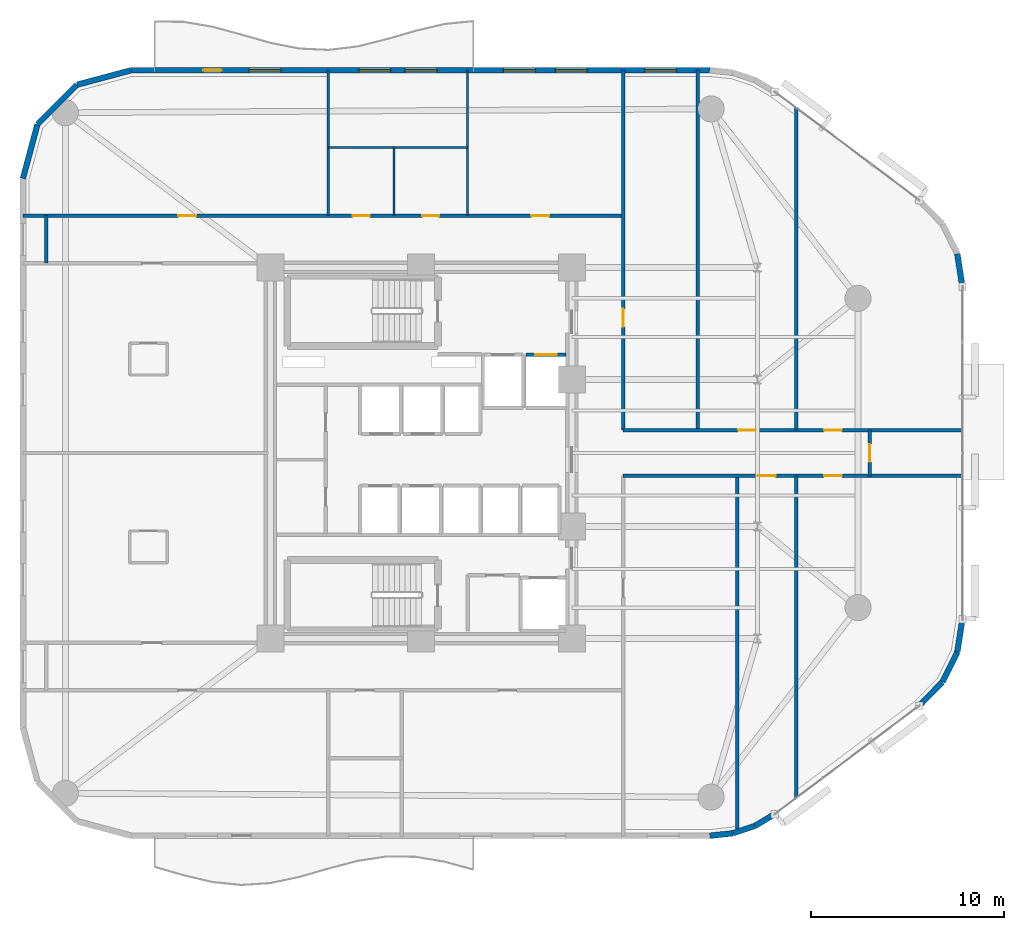
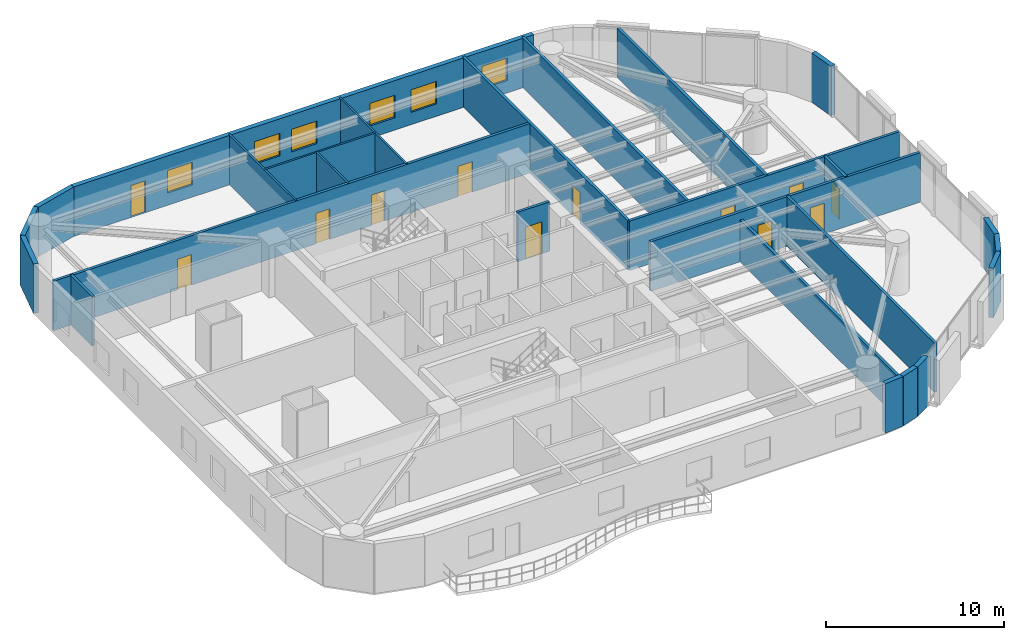
# One storey, part 12 of 16: 26 walls, 12 doors, 6 windows, 18 openings.
"""IFC4 building model written with IfcOpenShell, lengths in metres."""

from ifc_helpers import new_model, si_unit, direction, frame, frame_2d, origin, place, context, subcontext, project, spatial, rectangle, extrude, material, layer, layer_set, type_object, element, fill, save


model = new_model("IFC4")

# Units and contexts
model_context = context("Model", 3, precision=1e-05, world=origin(), true_north=direction((0.0, 1.0)))
body_context = subcontext(model_context, "Body", "Model", "MODEL_VIEW")
ifc_project = project(units=[si_unit("LENGTHUNIT", "METRE"), si_unit("AREAUNIT", "SQUARE_METRE"), si_unit("VOLUMEUNIT", "CUBIC_METRE"), si_unit("PLANEANGLEUNIT", "RADIAN"), si_unit("MASSUNIT", "GRAM", prefix="KILO")], contexts=[model_context])

# Site, building, storey
site_placement = place(None, origin())
site = spatial("IfcSite", under=ifc_project, at=site_placement, CompositionType="ELEMENT")
building_placement = place(site_placement, origin())
building = spatial("IfcBuilding", under=site, at=building_placement, Name="An Khanh Terracotta Commons", CompositionType="ELEMENT")
storey_placement = place(building_placement, frame((0.0, 0.0, 118.699951171875)))
storey = spatial("IfcBuildingStorey", under=building, at=storey_placement, Name="L31", CompositionType="ELEMENT", Elevation=118.699951171875)

# Wall, opening, door
ifc_material_1 = material(Name="Fire-Rated Gypsum Board on Steel Stud", Category="steel")
ifc_layer_1 = layer(ifc_material_1, 0.179931640625, Name="Fire-Rated Gypsum Board on Steel Stud")
ifc_layer_set_1 = layer_set([ifc_layer_1], Name="Fire-Rated Gypsum Board on Steel Stud")
wall_type_1 = type_object("IfcWallType", Name="WALL-CORR-180", PredefinedType="PARTITIONING", material=ifc_layer_set_1)
wall_1_placement = place(storey_placement, frame((34.820068359375, 29.080078125, 0.0), z_axis=(0.0, 0.0, 1.0), x_axis=(1.0, 0.0, 0.0)))
wall_1 = element("IfcWall", 1, at=wall_1_placement, inside=storey, type_object=wall_type_1, Name="L31 Core Wall LSH-L31-FFL-02-N", PredefinedType="PARTITIONING", context=body_context, shape_type="SweptSolid", body=[
    extrude(rectangle(XDim=2.079833984375, YDim=0.179931640625, at=frame_2d((1.0400390625, 0.0))), origin(), (0.0, 0.0, 1.0), 3.400146484375),
])
opening_1_placement = place(wall_1_placement, frame((0.489990234375, 0.0, 0.0)))
opening_1 = element("IfcOpeningElement", 2, at=opening_1_placement, cuts=wall_1, Name="Opening LD-FFL-02-L31", PredefinedType="OPENING", context=body_context, shape_type="SweptSolid", body=[
    extrude(rectangle(XDim=1.10009765625, YDim=2.199951171875, at=frame_2d((0.550048828125, 1.10009765625))), frame((0.0, 0.099853515625, 0.0), z_axis=(0.0, -1.0, 0.0), x_axis=(1.0, 0.0, 0.0)), (0.0, 0.0, 1.0), 0.199951171875),
])
ifc_material_2 = material(Name="Brushed Stainless Steel Fire Landing Door", Category="steel")
door_type_1 = type_object("IfcDoorType", Name="DOOR-LD-FFL-1100", OperationType="NOTDEFINED", PredefinedType="DOOR", material=ifc_material_2)
door_1_placement = place(opening_1_placement, origin())
door_1 = element("IfcDoor", 3, at=door_1_placement, inside=storey, type_object=door_type_1, Name="L31 Lift FFL-02 Sliding Landing Door", OperationType="DOUBLE_DOOR_SLIDING", OverallHeight=2.199951171875, OverallWidth=1.10009765625, PredefinedType="DOOR", context=body_context, shape_type="SweptSolid", body=[
    extrude(rectangle(XDim=1.10009765625, YDim=2.199951171875, at=frame_2d((0.550048828125, 1.10009765625))), frame((0.0, 0.02490234375, 0.0), z_axis=(0.0, -1.0, 0.0), x_axis=(1.0, 0.0, 0.0)), (0.0, 0.0, 1.0), 0.050048828125),
])
fill(opening_1, door_1)

# Wall, openings, doors
wall_2_placement = place(storey_placement, frame((39.85009765625, 22.820068359375, 0.0), z_axis=(0.0, 0.0, 1.0), x_axis=(1.0, 0.0, 0.0)))
wall_2 = element("IfcWall", 4, at=wall_2_placement, inside=storey, type_object=wall_type_1, Name="L31 Interior Partition IW-L31-E004", PredefinedType="PARTITIONING", context=body_context, shape_type="SweptSolid", body=[
    extrude(rectangle(XDim=17.5498046875, YDim=0.179931640625, at=frame_2d((8.77490234375, 0.0))), origin(), (0.0, 0.0, 1.0), 3.400146484375),
])
opening_2_placement = place(wall_2_placement, frame((6.968017578125, 0.0, 0.0)))
opening_2 = element("IfcOpeningElement", 5, at=opening_2_placement, cuts=wall_2, Name="Opening D-RM", PredefinedType="OPENING", context=body_context, shape_type="SweptSolid", body=[
    extrude(rectangle(XDim=0.919921875, YDim=2.10009765625, at=frame_2d((0.4599609375, 1.050048828125))), frame((0.0, 0.099853515625, 0.0), z_axis=(0.0, -1.0, 0.0), x_axis=(1.0, 0.0, 0.0)), (0.0, 0.0, 1.0), 0.199951171875),
])
opening_3_placement = place(wall_2_placement, frame((10.389892578125, 0.0, 0.0)))
opening_3 = element("IfcOpeningElement", 6, at=opening_3_placement, cuts=wall_2, Name="Opening D-RM", PredefinedType="OPENING", context=body_context, shape_type="SweptSolid", body=[
    extrude(rectangle(XDim=0.919921875, YDim=2.10009765625, at=frame_2d((0.4599609375, 1.050048828125))), frame((0.0, 0.099853515625, 0.0), z_axis=(0.0, -1.0, 0.0), x_axis=(1.0, 0.0, 0.0)), (0.0, 0.0, 1.0), 0.199951171875),
])
ifc_material_3 = material(Name="Engineered Hardwood Timber Leaf", Category="wood")
door_type_2 = type_object("IfcDoorType", Name="DOOR-INT-920", OperationType="NOTDEFINED", PredefinedType="DOOR", material=ifc_material_3)
door_2_placement = place(opening_2_placement, origin())
door_2 = element("IfcDoor", 7, at=door_2_placement, inside=storey, type_object=door_type_2, Name="L31 SB2 Co-Living Master Bedroom Door", OperationType="SINGLE_SWING_LEFT", OverallHeight=2.10009765625, OverallWidth=0.919921875, PredefinedType="DOOR", context=body_context, shape_type="SweptSolid", body=[
    extrude(rectangle(XDim=0.919921875, YDim=2.10009765625, at=frame_2d((0.4599609375, 1.050048828125))), frame((0.0, 0.02490234375, 0.0), z_axis=(0.0, -1.0, 0.0), x_axis=(1.0, 0.0, 0.0)), (0.0, 0.0, 1.0), 0.050048828125),
])
fill(opening_2, door_2)
door_3_placement = place(opening_3_placement, origin())
door_3 = element("IfcDoor", 8, at=door_3_placement, inside=storey, type_object=door_type_2, Name="L31 ENO2 Riverfront Reading Hall Door", OperationType="SINGLE_SWING_LEFT", OverallHeight=2.10009765625, OverallWidth=0.919921875, PredefinedType="DOOR", context=body_context, shape_type="SweptSolid", body=[
    extrude(rectangle(XDim=0.919921875, YDim=2.10009765625, at=frame_2d((0.4599609375, 1.050048828125))), frame((0.0, 0.02490234375, 0.0), z_axis=(0.0, -1.0, 0.0), x_axis=(1.0, 0.0, 0.0)), (0.0, 0.0, 1.0), 0.050048828125),
])
fill(opening_3, door_3)

wall_3_placement = place(storey_placement, frame((39.85009765625, 25.179931640625, 0.0), z_axis=(0.0, 0.0, 1.0), x_axis=(1.0, 0.0, 0.0)))
wall_3 = element("IfcWall", 9, at=wall_3_placement, inside=storey, type_object=wall_type_1, Name="L31 Interior Partition IW-L31-E006", PredefinedType="PARTITIONING", context=body_context, shape_type="SweptSolid", body=[
    extrude(rectangle(XDim=17.5498046875, YDim=0.179931640625, at=frame_2d((8.77490234375, 0.0))), origin(), (0.0, 0.0, 1.0), 3.400146484375),
])
opening_4_placement = place(wall_3_placement, frame((5.944091796875, 0.0, 0.0)))
opening_4 = element("IfcOpeningElement", 10, at=opening_4_placement, cuts=wall_3, Name="Opening D-RM", PredefinedType="OPENING", context=body_context, shape_type="SweptSolid", body=[
    extrude(rectangle(XDim=0.919921875, YDim=2.10009765625, at=frame_2d((0.4599609375, 1.050048828125))), frame((0.0, 0.099853515625, 0.0), z_axis=(0.0, -1.0, 0.0), x_axis=(1.0, 0.0, 0.0)), (0.0, 0.0, 1.0), 0.199951171875),
])
opening_5_placement = place(wall_3_placement, frame((10.389892578125, 0.0, 0.0)))
opening_5 = element("IfcOpeningElement", 11, at=opening_5_placement, cuts=wall_3, Name="Opening D-RM", PredefinedType="OPENING", context=body_context, shape_type="SweptSolid", body=[
    extrude(rectangle(XDim=0.919921875, YDim=2.10009765625, at=frame_2d((0.4599609375, 1.050048828125))), frame((0.0, 0.099853515625, 0.0), z_axis=(0.0, -1.0, 0.0), x_axis=(1.0, 0.0, 0.0)), (0.0, 0.0, 1.0), 0.199951171875),
])
door_4_placement = place(opening_4_placement, origin())
door_4 = element("IfcDoor", 12, at=door_4_placement, inside=storey, type_object=door_type_2, Name="L31 NB2 Collaborative Study Lounge Door", OperationType="SINGLE_SWING_LEFT", OverallHeight=2.10009765625, OverallWidth=0.919921875, PredefinedType="DOOR", context=body_context, shape_type="SweptSolid", body=[
    extrude(rectangle(XDim=0.919921875, YDim=2.10009765625, at=frame_2d((0.4599609375, 1.050048828125))), frame((0.0, 0.02490234375, 0.0), z_axis=(0.0, -1.0, 0.0), x_axis=(1.0, 0.0, 0.0)), (0.0, 0.0, 1.0), 0.050048828125),
])
fill(opening_4, door_4)
door_5_placement = place(opening_5_placement, origin())
door_5 = element("IfcDoor", 13, at=door_5_placement, inside=storey, type_object=door_type_2, Name="L31 ENO1 Quiet Focus Office Door", OperationType="SINGLE_SWING_RIGHT", OverallHeight=2.10009765625, OverallWidth=0.919921875, PredefinedType="DOOR", context=body_context, shape_type="SweptSolid", body=[
    extrude(rectangle(XDim=0.919921875, YDim=2.10009765625, at=frame_2d((0.4599609375, 1.050048828125))), frame((0.0, 0.02490234375, 0.0), z_axis=(0.0, -1.0, 0.0), x_axis=(1.0, 0.0, 0.0)), (0.0, 0.0, 1.0), 0.050048828125),
])
fill(opening_5, door_5)

wall_4_placement = place(storey_placement, frame((8.800048828125, 36.280029296875, 0.0), z_axis=(0.0, 0.0, 1.0), x_axis=(1.0, 0.0, 0.0)))
wall_4 = element("IfcWall", 14, at=wall_4_placement, inside=storey, type_object=wall_type_1, Name="L31 Interior Partition IW-L31-E008", PredefinedType="PARTITIONING", context=body_context, shape_type="SweptSolid", body=[
    extrude(rectangle(XDim=31.050048828125, YDim=0.179931640625, at=frame_2d((15.52490234375, 0.0))), origin(), (0.0, 0.0, 1.0), 3.400146484375),
])
opening_6_placement = place(wall_4_placement, frame((17.050048828125, 0.0, 0.0)))
opening_6 = element("IfcOpeningElement", 15, at=opening_6_placement, cuts=wall_4, Name="Opening D-WC", PredefinedType="OPENING", context=body_context, shape_type="SweptSolid", body=[
    extrude(rectangle(XDim=0.89990234375, YDim=2.10009765625, at=frame_2d((0.449951171875, 1.050048828125))), frame((0.0, 0.099853515625, 0.0), z_axis=(0.0, -1.0, 0.0), x_axis=(1.0, 0.0, 0.0)), (0.0, 0.0, 1.0), 0.199951171875),
])
opening_7_placement = place(wall_4_placement, frame((20.669921875, 0.0, 0.0)))
opening_7 = element("IfcOpeningElement", 16, at=opening_7_placement, cuts=wall_4, Name="Opening D-ENS", PredefinedType="OPENING", context=body_context, shape_type="SweptSolid", body=[
    extrude(rectangle(XDim=0.860107421875, YDim=2.10009765625, at=frame_2d((0.43017578125, 1.050048828125))), frame((0.0, 0.099853515625, 0.0), z_axis=(0.0, -1.0, 0.0), x_axis=(1.0, 0.0, 0.0)), (0.0, 0.0, 1.0), 0.199951171875),
])
opening_8_placement = place(wall_4_placement, frame((8.0400390625, 0.0, 0.0)))
opening_8 = element("IfcOpeningElement", 17, at=opening_8_placement, cuts=wall_4, Name="Opening D-RM", PredefinedType="OPENING", context=body_context, shape_type="SweptSolid", body=[
    extrude(rectangle(XDim=0.919921875, YDim=2.10009765625, at=frame_2d((0.4599609375, 1.050048828125))), frame((0.0, 0.099853515625, 0.0), z_axis=(0.0, -1.0, 0.0), x_axis=(1.0, 0.0, 0.0)), (0.0, 0.0, 1.0), 0.199951171875),
])
opening_9_placement = place(wall_4_placement, frame((26.304931640625, 0.0, 0.0)))
opening_9 = element("IfcOpeningElement", 18, at=opening_9_placement, cuts=wall_4, Name="Opening D-RM", PredefinedType="OPENING", context=body_context, shape_type="SweptSolid", body=[
    extrude(rectangle(XDim=0.919921875, YDim=2.10009765625, at=frame_2d((0.4599609375, 1.050048828125))), frame((0.0, 0.099853515625, 0.0), z_axis=(0.0, -1.0, 0.0), x_axis=(1.0, 0.0, 0.0)), (0.0, 0.0, 1.0), 0.199951171875),
])
ifc_material_4 = material(Name="Moisture-Resistant Hardwood Timber Leaf", Category="wood")
door_type_3 = type_object("IfcDoorType", Name="DOOR-BATH-860", OperationType="NOTDEFINED", PredefinedType="DOOR", material=ifc_material_4)
door_6_placement = place(opening_7_placement, origin())
door_6 = element("IfcDoor", 19, at=door_6_placement, inside=storey, type_object=door_type_3, Name="L31 SHW Resident Shared Shower and Washroom Door", OperationType="SINGLE_SWING_RIGHT", OverallHeight=2.10009765625, OverallWidth=0.860107421875, PredefinedType="DOOR", context=body_context, shape_type="SweptSolid", body=[
    extrude(rectangle(XDim=0.860107421875, YDim=2.10009765625, at=frame_2d((0.43017578125, 1.050048828125))), frame((0.0, 0.02490234375, 0.0), z_axis=(0.0, -1.0, 0.0), x_axis=(1.0, 0.0, 0.0)), (0.0, 0.0, 1.0), 0.050048828125),
])
fill(opening_7, door_6)
door_7_placement = place(opening_8_placement, origin())
door_7 = element("IfcDoor", 20, at=door_7_placement, inside=storey, type_object=door_type_2, Name="L31 NW1 Academic Seminar Room Door", OperationType="SINGLE_SWING_LEFT", OverallHeight=2.10009765625, OverallWidth=0.919921875, PredefinedType="DOOR", context=body_context, shape_type="SweptSolid", body=[
    extrude(rectangle(XDim=0.919921875, YDim=2.10009765625, at=frame_2d((0.4599609375, 1.050048828125))), frame((0.0, 0.02490234375, 0.0), z_axis=(0.0, -1.0, 0.0), x_axis=(1.0, 0.0, 0.0)), (0.0, 0.0, 1.0), 0.050048828125),
])
fill(opening_8, door_7)
door_8_placement = place(opening_9_placement, origin())
door_8 = element("IfcDoor", 21, at=door_8_placement, inside=storey, type_object=door_type_2, Name="L31 NWE Boardroom Meeting Room Door", OperationType="SINGLE_SWING_RIGHT", OverallHeight=2.10009765625, OverallWidth=0.919921875, PredefinedType="DOOR", context=body_context, shape_type="SweptSolid", body=[
    extrude(rectangle(XDim=0.919921875, YDim=2.10009765625, at=frame_2d((0.4599609375, 1.050048828125))), frame((0.0, 0.02490234375, 0.0), z_axis=(0.0, -1.0, 0.0), x_axis=(1.0, 0.0, 0.0)), (0.0, 0.0, 1.0), 0.050048828125),
])
fill(opening_9, door_8)
ifc_material_5 = material(Name="Laminate Moisture-Resistant Timber Leaf", Category="wood")
door_type_4 = type_object("IfcDoorType", Name="DOOR-WC-900", OperationType="NOTDEFINED", PredefinedType="DOOR", material=ifc_material_5)
door_9_placement = place(opening_6_placement, origin())
door_9 = element("IfcDoor", 22, at=door_9_placement, inside=storey, type_object=door_type_4, Name="L31 AWC Accessible WC Door", OperationType="SINGLE_SWING_LEFT", OverallHeight=2.10009765625, OverallWidth=0.89990234375, PredefinedType="DOOR", context=body_context, shape_type="SweptSolid", body=[
    extrude(rectangle(XDim=0.89990234375, YDim=2.10009765625, at=frame_2d((0.449951171875, 1.050048828125))), frame((0.0, 0.02490234375, 0.0), z_axis=(0.0, -1.0, 0.0), x_axis=(1.0, 0.0, 0.0)), (0.0, 0.0, 1.0), 0.050048828125),
])
fill(opening_6, door_9)

# Wall
wall_5_placement = place(storey_placement, frame((10.0, 33.820068359375, 0.0), z_axis=(0.0, 0.0, 1.0), x_axis=(0.0, 1.0, 0.0)))
element("IfcWall", 23, at=wall_5_placement, inside=storey, type_object=wall_type_1, Name="L31 Interior Partition IW-L31-E011", PredefinedType="PARTITIONING", context=body_context, shape_type="SweptSolid", body=[
    extrude(rectangle(XDim=2.4599609375, YDim=0.179931640625, at=frame_2d((1.22998046875, 0.0))), origin(), (0.0, 0.0, 1.0), 3.400146484375),
])

# Wall, opening, door
wall_6_placement = place(storey_placement, frame((39.85009765625, 25.179931640625, 0.0), z_axis=(0.0, 0.0, 1.0), x_axis=(0.0, 1.0, 0.0)))
wall_6 = element("IfcWall", 24, at=wall_6_placement, inside=storey, type_object=wall_type_1, Name="L31 Interior Partition IW-L31-E018", PredefinedType="PARTITIONING", context=body_context, shape_type="SweptSolid", body=[
    extrude(rectangle(XDim=18.6201171875, YDim=0.179931640625, at=frame_2d((9.31005859375, 0.0))), origin(), (0.0, 0.0, 1.0), 3.400146484375),
])
opening_10_placement = place(wall_6_placement, frame((5.35009765625, 0.0, 0.0)))
opening_10 = element("IfcOpeningElement", 25, at=opening_10_placement, cuts=wall_6, Name="Opening D-RM", PredefinedType="OPENING", context=body_context, shape_type="SweptSolid", body=[
    extrude(rectangle(XDim=0.919921875, YDim=2.10009765625, at=frame_2d((0.4599609375, 1.050048828125))), frame((0.0, 0.099853515625, 0.0), z_axis=(0.0, -1.0, 0.0), x_axis=(1.0, 0.0, 0.0)), (0.0, 0.0, 1.0), 0.199951171875),
])
door_10_placement = place(opening_10_placement, origin())
door_10 = element("IfcDoor", 26, at=door_10_placement, inside=storey, type_object=door_type_2, Name="L31 NB1 Collaborative Study Lounge Door", OperationType="SINGLE_SWING_RIGHT", OverallHeight=2.10009765625, OverallWidth=0.919921875, PredefinedType="DOOR", context=body_context, shape_type="SweptSolid", body=[
    extrude(rectangle(XDim=0.919921875, YDim=2.10009765625, at=frame_2d((0.4599609375, 1.050048828125))), frame((0.0, 0.02490234375, 0.0), z_axis=(0.0, -1.0, 0.0), x_axis=(1.0, 0.0, 0.0)), (0.0, 0.0, 1.0), 0.050048828125),
])
fill(opening_10, door_10)

# Walls
wall_7_placement = place(storey_placement, frame((43.7080078125, 25.179931640625, 0.0), z_axis=(0.0, 0.0, 1.0), x_axis=(0.0, 1.0, 0.0)))
element("IfcWall", 27, at=wall_7_placement, inside=storey, type_object=wall_type_1, Name="L31 Interior Partition IW-L31-E019", PredefinedType="PARTITIONING", context=body_context, shape_type="SweptSolid", body=[
    extrude(rectangle(XDim=18.6201171875, YDim=0.179931640625, at=frame_2d((9.31005859375, 0.0))), origin(), (0.0, 0.0, 1.0), 3.400146484375),
])
wall_8_placement = place(storey_placement, frame((45.757080078125, 4.405029296875, 0.0), z_axis=(0.0, 0.0, 1.0), x_axis=(0.0, 1.0, 0.0)))
element("IfcWall", 28, at=wall_8_placement, inside=storey, type_object=wall_type_1, Name="L31 Interior Partition IW-L31-E020", PredefinedType="PARTITIONING", context=body_context, shape_type="SweptSolid", body=[
    extrude(rectangle(XDim=18.4150390625, YDim=0.179931640625, at=frame_2d((9.20751953125, 0.0))), origin(), (0.0, 0.0, 1.0), 2.882080078125),
])
for number, where, z_axis, x_axis, name in (
    (29, (48.800048828125, 6.14990234375, 0.0), (0.0, 0.0, 1.0), (0.0, 1.0, 0.0), "L31 Interior Partition IW-L31-E021"),
    (30, (48.800048828125, 25.179931640625, 0.0), (0.0, 0.0, 1.0), (0.0, 1.0, 0.0), "L31 Interior Partition IW-L31-E022"),
):
    element("IfcWall", number, at=place(storey_placement, frame(where, z_axis=z_axis, x_axis=x_axis)), inside=storey, type_object=wall_type_1, Name=name, PredefinedType="PARTITIONING", context=body_context, shape_type="SweptSolid", body=[
        extrude(rectangle(XDim=16.670166015625, YDim=0.179931640625, at=frame_2d((8.3349609375, 0.0))), origin(), (0.0, 0.0, 1.0), 3.400146484375),
    ])

# Wall, opening, door
wall_9_placement = place(storey_placement, frame((52.60009765625, 22.820068359375, 0.0), z_axis=(0.0, 0.0, 1.0), x_axis=(0.0, 1.0, 0.0)))
wall_9 = element("IfcWall", 31, at=wall_9_placement, inside=storey, type_object=wall_type_1, Name="L31 Interior Partition IW-L31-E023", PredefinedType="PARTITIONING", context=body_context, shape_type="SweptSolid", body=[
    extrude(rectangle(XDim=2.35986328125, YDim=0.179931640625, at=frame_2d((1.179931640625, 0.0))), origin(), (0.0, 0.0, 1.0), 3.400146484375),
])
opening_11_placement = place(wall_9_placement, frame((0.719970703125, 0.0, 0.0)))
opening_11 = element("IfcOpeningElement", 32, at=opening_11_placement, cuts=wall_9, Name="Opening D-RM", PredefinedType="OPENING", context=body_context, shape_type="SweptSolid", body=[
    extrude(rectangle(XDim=0.919921875, YDim=2.10009765625, at=frame_2d((0.4599609375, 1.050048828125))), frame((0.0, 0.099853515625, 0.0), z_axis=(0.0, -1.0, 0.0), x_axis=(1.0, 0.0, 0.0)), (0.0, 0.0, 1.0), 0.199951171875),
])
door_11_placement = place(opening_11_placement, origin())
door_11 = element("IfcDoor", 33, at=door_11_placement, inside=storey, type_object=door_type_2, Name="L31 ENO3 Quiet Focus Office Door", OperationType="SINGLE_SWING_RIGHT", OverallHeight=2.10009765625, OverallWidth=0.919921875, PredefinedType="DOOR", context=body_context, shape_type="SweptSolid", body=[
    extrude(rectangle(XDim=0.919921875, YDim=2.10009765625, at=frame_2d((0.4599609375, 1.050048828125))), frame((0.0, 0.02490234375, 0.0), z_axis=(0.0, -1.0, 0.0), x_axis=(1.0, 0.0, 0.0)), (0.0, 0.0, 1.0), 0.050048828125),
])
fill(opening_11, door_11)

# Walls
ifc_material_6 = material(Name="Precast concrete C40/50", Category="concrete")
ifc_layer_2 = layer(ifc_material_6, 0.300048828125, Name="Precast concrete C40/50")
ifc_layer_set_2 = layer_set([ifc_layer_2], Name="Precast concrete C40/50")
wall_type_2 = type_object("IfcWallType", Name="WALL-EXT-300", PredefinedType="SOLIDWALL", material=ifc_layer_set_2)
wall_10_placement = place(storey_placement, frame((44.3330078125, 4.199951171875, 0.0), z_axis=(0.0, 0.0, 1.0), x_axis=(0.994289103787, 0.106720092254, 0.0)))
element("IfcWall", 34, at=wall_10_placement, inside=storey, type_object=wall_type_2, Name="L31 Insulated Terracotta Exterior Wall 5", PredefinedType="SOLIDWALL", context=body_context, shape_type="SweptSolid", body=[
    extrude(rectangle(XDim=1.19873046875, YDim=0.300048828125, at=frame_2d((0.599365234375, 0.0))), origin(), (0.0, 0.0, 1.0), 3.400146484375),
])
wall_11_placement = place(storey_placement, frame((45.52490234375, 4.327880859375, 0.0), z_axis=(0.0, 0.0, 1.0), x_axis=(0.948744332129, 0.316044604847, 0.0)))
element("IfcWall", 35, at=wall_11_placement, inside=storey, type_object=wall_type_2, Name="L31 Insulated Terracotta Exterior Wall 6", PredefinedType="SOLIDWALL", context=body_context, shape_type="SweptSolid", body=[
    extrude(rectangle(XDim=1.19970703125, YDim=0.300048828125, at=frame_2d((0.599853515625, 0.0))), origin(), (0.0, 0.0, 1.0), 3.400146484375),
])
wall_12_placement = place(storey_placement, frame((46.6630859375, 4.70703125, 0.0), z_axis=(0.0, 0.0, 1.0), x_axis=(0.859320591642, 0.511437308749, 0.0)))
element("IfcWall", 36, at=wall_12_placement, inside=storey, type_object=wall_type_2, Name="L31 Insulated Terracotta Exterior Wall 7", PredefinedType="SOLIDWALL", context=body_context, shape_type="SweptSolid", body=[
    extrude(rectangle(XDim=1.19873046875, YDim=0.300048828125, at=frame_2d((0.599365234375, 0.0))), origin(), (0.0, 0.0, 1.0), 3.400146484375),
])
for number, where, z_axis, x_axis, name in (
    (37, (55.159912109375, 10.919921875, 0.0), (0.0, 0.0, 1.0), (0.6983450845, 0.715761233201, 0.0), "L31 Insulated Terracotta Exterior Wall 9"),
    (38, (56.364013671875, 12.154052734375, 0.0), (0.0, 0.0, 1.0), (0.4472135955, 0.894427191, 0.0), "L31 Insulated Terracotta Exterior Wall 10"),
):
    element("IfcWall", number, at=place(storey_placement, frame(where, z_axis=z_axis, x_axis=x_axis)), inside=storey, type_object=wall_type_2, Name=name, PredefinedType="SOLIDWALL", context=body_context, shape_type="SweptSolid", body=[
        extrude(rectangle(XDim=1.72412109375, YDim=0.300048828125, at=frame_2d((0.862060546875, 0.0))), origin(), (0.0, 0.0, 1.0), 3.400146484375),
    ])
for number, where, z_axis, x_axis, name in (
    (39, (57.135009765625, 13.696044921875, 0.0), (0.0, 0.0, 1.0), (0.153620989032, 0.988129845581, 0.0), "L31 Insulated Terracotta Exterior Wall 11"),
    (40, (57.39990234375, 32.60009765625, 0.0), (0.0, 0.0, 1.0), (-0.153620989032, 0.988129845581, 0.0), "L31 Insulated Terracotta Exterior Wall 13"),
):
    element("IfcWall", number, at=place(storey_placement, frame(where, z_axis=z_axis, x_axis=x_axis)), inside=storey, type_object=wall_type_2, Name=name, PredefinedType="SOLIDWALL", context=body_context, shape_type="SweptSolid", body=[
        extrude(rectangle(XDim=1.724365234375, YDim=0.300048828125, at=frame_2d((0.8623046875, 0.0))), origin(), (0.0, 0.0, 1.0), 3.400146484375),
    ])

# Wall, openings, door, windows
wall_13_placement = place(storey_placement, frame((44.3330078125, 43.800048828125, 0.0), z_axis=(0.0, 0.0, 1.0), x_axis=(-1.0, 0.0, 0.0)))
wall_13 = element("IfcWall", 41, at=wall_13_placement, inside=storey, type_object=wall_type_2, Name="L31 Insulated Terracotta Exterior Wall 20", PredefinedType="SOLIDWALL", context=body_context, shape_type="SweptSolid", body=[
    extrude(rectangle(XDim=29.93310546875, YDim=0.300048828125, at=frame_2d((14.966552734375, 0.0))), origin(), (0.0, 0.0, 1.0), 3.400146484375),
])
opening_12_placement = place(wall_13_placement, frame((25.258056640625, 0.0, 0.0)))
opening_12 = element("IfcOpeningElement", 42, at=opening_12_placement, cuts=wall_13, Name="Opening D-BAL", PredefinedType="OPENING", context=body_context, shape_type="SweptSolid", body=[
    extrude(rectangle(XDim=0.949951171875, YDim=2.199951171875, at=frame_2d((0.47509765625, 1.10009765625))), frame((0.0, 0.159912109375, 0.0), z_axis=(0.0, -1.0, 0.0), x_axis=(1.0, 0.0, 0.0)), (0.0, 0.0, 1.0), 0.320068359375),
])
opening_13_placement = place(wall_13_placement, frame((1.72900390625, 0.0, 0.85009765625)))
opening_13 = element("IfcOpeningElement", 43, at=opening_13_placement, cuts=wall_13, Name="Opening W-02", PredefinedType="OPENING", context=body_context, shape_type="SweptSolid", body=[
    extrude(rectangle(XDim=1.64990234375, YDim=1.550048828125, at=frame_2d((0.824951171875, 0.77490234375))), frame((0.0, 0.159912109375, 0.0), z_axis=(0.0, -1.0, 0.0), x_axis=(1.0, 0.0, 0.0)), (0.0, 0.0, 1.0), 0.320068359375),
])
opening_14_placement = place(wall_13_placement, frame((6.341064453125, 0.0, 0.85009765625)))
opening_14 = element("IfcOpeningElement", 44, at=opening_14_placement, cuts=wall_13, Name="Opening W-02", PredefinedType="OPENING", context=body_context, shape_type="SweptSolid", body=[
    extrude(rectangle(XDim=1.64990234375, YDim=1.550048828125, at=frame_2d((0.824951171875, 0.77490234375))), frame((0.0, 0.159912109375, 0.0), z_axis=(0.0, -1.0, 0.0), x_axis=(1.0, 0.0, 0.0)), (0.0, 0.0, 1.0), 0.320068359375),
])
opening_15_placement = place(wall_13_placement, frame((9.02490234375, 0.0, 0.85009765625)))
opening_15 = element("IfcOpeningElement", 45, at=opening_15_placement, cuts=wall_13, Name="Opening W-02", PredefinedType="OPENING", context=body_context, shape_type="SweptSolid", body=[
    extrude(rectangle(XDim=1.64990234375, YDim=1.550048828125, at=frame_2d((0.824951171875, 0.77490234375))), frame((0.0, 0.159912109375, 0.0), z_axis=(0.0, -1.0, 0.0), x_axis=(1.0, 0.0, 0.0)), (0.0, 0.0, 1.0), 0.320068359375),
])
opening_16_placement = place(wall_13_placement, frame((14.10791015625, 0.0, 0.85009765625)))
opening_16 = element("IfcOpeningElement", 46, at=opening_16_placement, cuts=wall_13, Name="Opening W-02", PredefinedType="OPENING", context=body_context, shape_type="SweptSolid", body=[
    extrude(rectangle(XDim=1.64990234375, YDim=1.550048828125, at=frame_2d((0.824951171875, 0.77490234375))), frame((0.0, 0.159912109375, 0.0), z_axis=(0.0, -1.0, 0.0), x_axis=(1.0, 0.0, 0.0)), (0.0, 0.0, 1.0), 0.320068359375),
])
opening_17_placement = place(wall_13_placement, frame((16.508056640625, 0.0, 0.85009765625)))
opening_17 = element("IfcOpeningElement", 47, at=opening_17_placement, cuts=wall_13, Name="Opening W-02", PredefinedType="OPENING", context=body_context, shape_type="SweptSolid", body=[
    extrude(rectangle(XDim=1.64990234375, YDim=1.550048828125, at=frame_2d((0.824951171875, 0.77490234375))), frame((0.0, 0.159912109375, 0.0), z_axis=(0.0, -1.0, 0.0), x_axis=(1.0, 0.0, 0.0)), (0.0, 0.0, 1.0), 0.320068359375),
])
opening_18_placement = place(wall_13_placement, frame((22.19091796875, 0.0, 0.85009765625)))
opening_18 = element("IfcOpeningElement", 48, at=opening_18_placement, cuts=wall_13, Name="Opening W-02", PredefinedType="OPENING", context=body_context, shape_type="SweptSolid", body=[
    extrude(rectangle(XDim=1.64990234375, YDim=1.550048828125, at=frame_2d((0.824951171875, 0.77490234375))), frame((0.0, 0.159912109375, 0.0), z_axis=(0.0, -1.0, 0.0), x_axis=(1.0, 0.0, 0.0)), (0.0, 0.0, 1.0), 0.320068359375),
])
ifc_material_7 = material(Name="Thermally Broken Aluminium and Low-E Glass", Category="aluminium")
door_type_5 = type_object("IfcDoorType", Name="DOOR-BALC-950", OperationType="NOTDEFINED", PredefinedType="DOOR", material=ifc_material_7)
door_12_placement = place(opening_12_placement, origin())
door_12 = element("IfcDoor", 49, at=door_12_placement, inside=storey, type_object=door_type_5, Name="L31 N Wave Balcony Glazed Door", OperationType="SINGLE_SWING_RIGHT", OverallHeight=2.199951171875, OverallWidth=0.949951171875, PredefinedType="DOOR", context=body_context, shape_type="SweptSolid", body=[
    extrude(rectangle(XDim=0.949951171875, YDim=2.199951171875, at=frame_2d((0.47509765625, 1.10009765625))), frame((0.0, 0.02490234375, 0.0), z_axis=(0.0, -1.0, 0.0), x_axis=(1.0, 0.0, 0.0)), (0.0, 0.0, 1.0), 0.050048828125),
])
fill(opening_12, door_12)
window_type = type_object("IfcWindowType", Name="WIN-Z2-1650x1550", PartitioningType="DOUBLE_PANEL_VERTICAL", PredefinedType="WINDOW", material=ifc_material_7)
window_1_placement = place(opening_13_placement, origin())
window_1 = element("IfcWindow", 50, at=window_1_placement, inside=storey, type_object=window_type, Name="L31 Operable Casement Window 20.1", OverallHeight=1.550048828125, OverallWidth=1.64990234375, PartitioningType="DOUBLE_PANEL_VERTICAL", PredefinedType="WINDOW", context=body_context, shape_type="SweptSolid", body=[
    extrude(rectangle(XDim=1.64990234375, YDim=1.550048828125, at=frame_2d((0.824951171875, 0.77490234375))), frame((0.0, 0.030029296875, 0.0), z_axis=(0.0, -1.0, 0.0), x_axis=(1.0, 0.0, 0.0)), (0.0, 0.0, 1.0), 0.06005859375),
])
fill(opening_13, window_1)
window_2_placement = place(opening_14_placement, origin())
window_2 = element("IfcWindow", 51, at=window_2_placement, inside=storey, type_object=window_type, Name="L31 Operable Casement Window 20.2", OverallHeight=1.550048828125, OverallWidth=1.64990234375, PartitioningType="DOUBLE_PANEL_VERTICAL", PredefinedType="WINDOW", context=body_context, shape_type="SweptSolid", body=[
    extrude(rectangle(XDim=1.64990234375, YDim=1.550048828125, at=frame_2d((0.824951171875, 0.77490234375))), frame((0.0, 0.030029296875, 0.0), z_axis=(0.0, -1.0, 0.0), x_axis=(1.0, 0.0, 0.0)), (0.0, 0.0, 1.0), 0.06005859375),
])
fill(opening_14, window_2)
window_3_placement = place(opening_15_placement, origin())
window_3 = element("IfcWindow", 52, at=window_3_placement, inside=storey, type_object=window_type, Name="L31 Operable Casement Window 20.3", OverallHeight=1.550048828125, OverallWidth=1.64990234375, PartitioningType="DOUBLE_PANEL_VERTICAL", PredefinedType="WINDOW", context=body_context, shape_type="SweptSolid", body=[
    extrude(rectangle(XDim=1.64990234375, YDim=1.550048828125, at=frame_2d((0.824951171875, 0.77490234375))), frame((0.0, 0.030029296875, 0.0), z_axis=(0.0, -1.0, 0.0), x_axis=(1.0, 0.0, 0.0)), (0.0, 0.0, 1.0), 0.06005859375),
])
fill(opening_15, window_3)
window_4_placement = place(opening_16_placement, origin())
window_4 = element("IfcWindow", 53, at=window_4_placement, inside=storey, type_object=window_type, Name="L31 Operable Casement Window 20.4", OverallHeight=1.550048828125, OverallWidth=1.64990234375, PartitioningType="DOUBLE_PANEL_VERTICAL", PredefinedType="WINDOW", context=body_context, shape_type="SweptSolid", body=[
    extrude(rectangle(XDim=1.64990234375, YDim=1.550048828125, at=frame_2d((0.824951171875, 0.77490234375))), frame((0.0, 0.030029296875, 0.0), z_axis=(0.0, -1.0, 0.0), x_axis=(1.0, 0.0, 0.0)), (0.0, 0.0, 1.0), 0.06005859375),
])
fill(opening_16, window_4)
window_5_placement = place(opening_17_placement, origin())
window_5 = element("IfcWindow", 54, at=window_5_placement, inside=storey, type_object=window_type, Name="L31 Operable Casement Window 20.5", OverallHeight=1.550048828125, OverallWidth=1.64990234375, PartitioningType="DOUBLE_PANEL_VERTICAL", PredefinedType="WINDOW", context=body_context, shape_type="SweptSolid", body=[
    extrude(rectangle(XDim=1.64990234375, YDim=1.550048828125, at=frame_2d((0.824951171875, 0.77490234375))), frame((0.0, 0.030029296875, 0.0), z_axis=(0.0, -1.0, 0.0), x_axis=(1.0, 0.0, 0.0)), (0.0, 0.0, 1.0), 0.06005859375),
])
fill(opening_17, window_5)
window_6_placement = place(opening_18_placement, origin())
window_6 = element("IfcWindow", 55, at=window_6_placement, inside=storey, type_object=window_type, Name="L31 Operable Casement Window 20.6", OverallHeight=1.550048828125, OverallWidth=1.64990234375, PartitioningType="DOUBLE_PANEL_VERTICAL", PredefinedType="WINDOW", context=body_context, shape_type="SweptSolid", body=[
    extrude(rectangle(XDim=1.64990234375, YDim=1.550048828125, at=frame_2d((0.824951171875, 0.77490234375))), frame((0.0, 0.030029296875, 0.0), z_axis=(0.0, -1.0, 0.0), x_axis=(1.0, 0.0, 0.0)), (0.0, 0.0, 1.0), 0.06005859375),
])
fill(opening_18, window_6)

# Walls
wall_14_placement = place(storey_placement, frame((14.39990234375, 43.800048828125, 0.0), z_axis=(0.0, 0.0, 1.0), x_axis=(-0.965943540406, -0.258752926066, 0.0)))
element("IfcWall", 56, at=wall_14_placement, inside=storey, type_object=wall_type_2, Name="L31 Insulated Terracotta Exterior Wall 21", PredefinedType="SOLIDWALL", context=body_context, shape_type="SweptSolid", body=[
    extrude(rectangle(XDim=2.8984375, YDim=0.300048828125, at=frame_2d((1.44921875, 0.0))), origin(), (0.0, 0.0, 1.0), 3.400146484375),
])
wall_15_placement = place(storey_placement, frame((11.60009765625, 43.050048828125, 0.0), z_axis=(0.0, 0.0, 1.0), x_axis=(-0.707106781187, -0.707106781187, 0.0)))
element("IfcWall", 57, at=wall_15_placement, inside=storey, type_object=wall_type_2, Name="L31 Insulated Terracotta Exterior Wall 22", PredefinedType="SOLIDWALL", context=body_context, shape_type="SweptSolid", body=[
    extrude(rectangle(XDim=2.899169921875, YDim=0.300048828125, at=frame_2d((1.44970703125, 0.0))), origin(), (0.0, 0.0, 1.0), 3.400146484375),
])
wall_16_placement = place(storey_placement, frame((9.550048828125, 41.0, 0.0), z_axis=(0.0, 0.0, 1.0), x_axis=(-0.258731875344, -0.96594917914, 0.0)))
element("IfcWall", 58, at=wall_16_placement, inside=storey, type_object=wall_type_2, Name="L31 Insulated Terracotta Exterior Wall 23", PredefinedType="SOLIDWALL", context=body_context, shape_type="SweptSolid", body=[
    extrude(rectangle(XDim=2.898681640625, YDim=0.300048828125, at=frame_2d((1.44921875, 0.0))), origin(), (0.0, 0.0, 1.0), 3.400146484375),
])
ifc_material_8 = material(Name="Moisture-Resistant Cement Board Partition")
ifc_layer_3 = layer(ifc_material_8, 0.1201171875, Name="Moisture-Resistant Cement Board Partition")
ifc_layer_set_3 = layer_set([ifc_layer_3], Name="Moisture-Resistant Cement Board Partition")
wall_type_3 = type_object("IfcWallType", Name="WALL-WET-120", PredefinedType="PARTITIONING", material=ifc_layer_set_3)
wall_17_placement = place(storey_placement, frame((24.60009765625, 39.800048828125, 0.0), z_axis=(0.0, 0.0, 1.0), x_axis=(1.0, 0.0, 0.0)))
element("IfcWall", 59, at=wall_17_placement, inside=storey, type_object=wall_type_3, Name="L31 Interior Partition IW-L31-E009", PredefinedType="PARTITIONING", context=body_context, shape_type="SweptSolid", body=[
    extrude(rectangle(XDim=7.199951171875, YDim=0.1201171875, at=frame_2d((3.60009765625, 0.0))), origin(), (0.0, 0.0, 1.0), 3.400146484375),
])
wall_18_placement = place(storey_placement, frame((24.60009765625, 36.280029296875, 0.0), z_axis=(0.0, 0.0, 1.0), x_axis=(0.0, 1.0, 0.0)))
element("IfcWall", 60, at=wall_18_placement, inside=storey, type_object=wall_type_3, Name="L31 Interior Partition IW-L31-E013", PredefinedType="PARTITIONING", context=body_context, shape_type="SweptSolid", body=[
    extrude(rectangle(XDim=7.52001953125, YDim=0.1201171875, at=frame_2d((3.760009765625, 0.0))), origin(), (0.0, 0.0, 1.0), 3.400146484375),
])
wall_19_placement = place(storey_placement, frame((28.0, 36.280029296875, 0.0), z_axis=(0.0, 0.0, 1.0), x_axis=(0.0, 1.0, 0.0)))
element("IfcWall", 61, at=wall_19_placement, inside=storey, type_object=wall_type_3, Name="L31 Interior Partition IW-L31-E014", PredefinedType="PARTITIONING", context=body_context, shape_type="SweptSolid", body=[
    extrude(rectangle(XDim=3.52001953125, YDim=0.1201171875, at=frame_2d((1.760009765625, 0.0))), origin(), (0.0, 0.0, 1.0), 3.400146484375),
])
wall_20_placement = place(storey_placement, frame((31.800048828125, 36.280029296875, 0.0), z_axis=(0.0, 0.0, 1.0), x_axis=(0.0, 1.0, 0.0)))
element("IfcWall", 62, at=wall_20_placement, inside=storey, type_object=wall_type_3, Name="L31 Interior Partition IW-L31-E016", PredefinedType="PARTITIONING", context=body_context, shape_type="SweptSolid", body=[
    extrude(rectangle(XDim=7.52001953125, YDim=0.1201171875, at=frame_2d((3.760009765625, 0.0))), origin(), (0.0, 0.0, 1.0), 3.400146484375),
])

save(model, "model.ifc")
